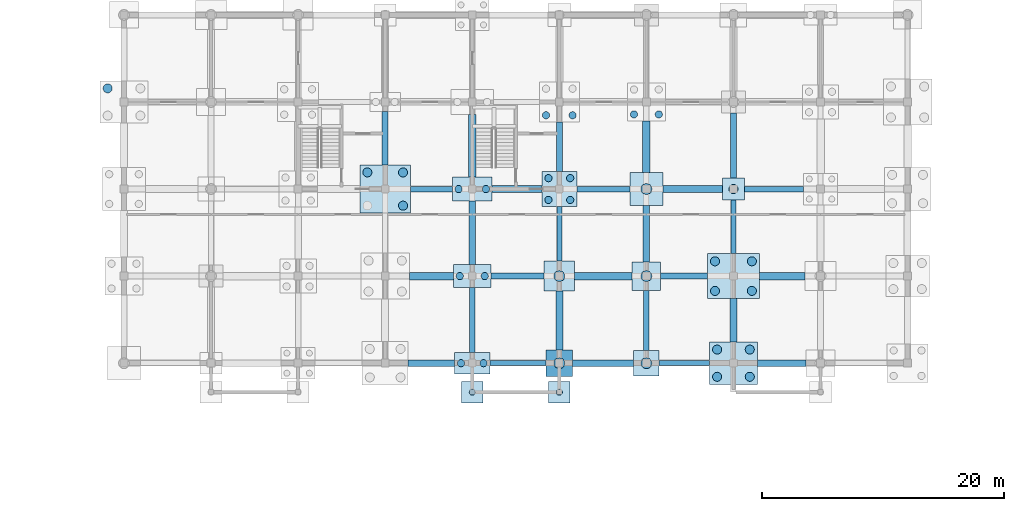
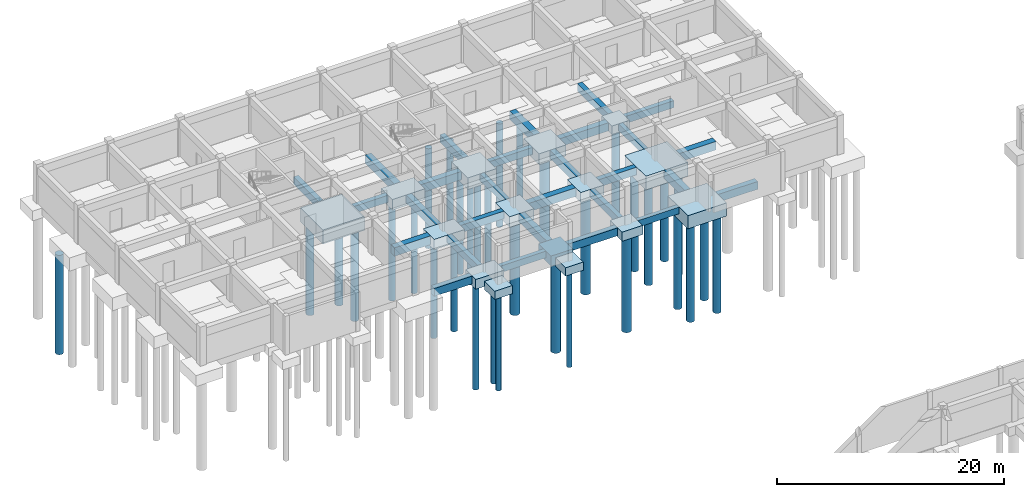
# One storey, part 14 of 38: 43 footings, 34 piles.
"""IFC4 building model written with IfcOpenShell, lengths in metres."""

from ifc_helpers import new_model, si_unit, direction, frame, origin, origin_2d, place, context, subcontext, project, spatial, polyline, rectangle, circle, outline, extrude, material, material_profile, profile_set, type_object, element, save


model = new_model("IFC4")

# Units and contexts
model_context = context("Model", 3, precision=1e-05, world=origin(), true_north=direction((0.0, 1.0)))
body_context = subcontext(model_context, "Body", "Model", "MODEL_VIEW")
ifc_project = project(units=[si_unit("LENGTHUNIT", "METRE"), si_unit("AREAUNIT", "SQUARE_METRE"), si_unit("VOLUMEUNIT", "CUBIC_METRE"), si_unit("PLANEANGLEUNIT", "RADIAN"), si_unit("MASSUNIT", "GRAM", prefix="KILO"), si_unit("THERMODYNAMICTEMPERATUREUNIT", "KELVIN"), si_unit("POWERUNIT", "WATT")], contexts=[model_context])

# Site, building, storey
site_placement = place(None, origin())
site = spatial("IfcSite", under=ifc_project, at=site_placement, CompositionType="ELEMENT")
building_placement = place(site_placement, origin())
building = spatial("IfcBuilding", under=site, at=building_placement, Name="Tavuni Mirador Residences", CompositionType="ELEMENT")
storey_placement = place(building_placement, frame((0.0, 0.0, -4.199951171875)))
storey = spatial("IfcBuildingStorey", under=building, at=storey_placement, Name="B1", CompositionType="ELEMENT", Elevation=-4.199951171875)

# Footings
ifc_material = material(Name="In-situ concrete C35/45", Category="concrete")
footing_type_1 = type_object("IfcFootingType", Name="FT-GB01", PredefinedType="FOOTING_BEAM", material=ifc_material)
footing_1_placement = place(storey_placement, frame((0.0, 0.0, -0.719970703125)))
element("IfcFooting", 1, at=footing_1_placement, inside=storey, type_object=footing_type_1, Name="GBX-BLK-C-04-00", PredefinedType="FOOTING_BEAM", context=body_context, shape_type="SweptSolid", body=[
    extrude(outline(polyline([(41.050048828125, 143.7900390625), (45.699951171875, 143.7900390625), (45.699951171875, 144.2099609375), (41.050048828125, 144.2099609375), (41.050048828125, 143.7900390625)])), origin(), (0.0, 0.0, 1.0), 0.719970703125),
])
footing_2_placement = place(storey_placement, frame((0.0, 0.0, -0.719970703125)))
element("IfcFooting", 2, at=footing_2_placement, inside=storey, type_object=footing_type_1, Name="GBY-BLK-C-05-01", PredefinedType="FOOTING_BEAM", context=body_context, shape_type="SweptSolid", body=[
    extrude(outline(polyline([(46.590087890625, 152.449951171875), (47.010009765625, 152.449951171875), (47.010009765625, 156.949951171875), (46.590087890625, 156.949951171875), (46.590087890625, 152.449951171875)])), origin(), (0.0, 0.0, 1.0), 0.719970703125),
])
footing_3_placement = place(storey_placement, frame((0.0, 0.0, -0.719970703125)))
element("IfcFooting", 3, at=footing_3_placement, inside=storey, type_object=footing_type_1, Name="GBX-BLK-C-06-00", PredefinedType="FOOTING_BEAM", context=body_context, shape_type="SweptSolid", body=[
    extrude(outline(polyline([(55.050048828125, 143.7900390625), (59.22509765625, 143.7900390625), (59.22509765625, 144.2099609375), (55.050048828125, 144.2099609375), (55.050048828125, 143.7900390625)])), origin(), (0.0, 0.0, 1.0), 0.719970703125),
])
footing_4_placement = place(storey_placement, frame((0.0, 0.0, -0.719970703125)))
element("IfcFooting", 4, at=footing_4_placement, inside=storey, type_object=footing_type_1, Name="GBY-BLK-C-07-01", PredefinedType="FOOTING_BEAM", context=body_context, shape_type="SweptSolid", body=[
    extrude(outline(polyline([(60.989990234375, 153.050048828125), (61.409912109375, 153.050048828125), (61.409912109375, 157.5), (60.989990234375, 157.5), (60.989990234375, 153.050048828125)])), origin(), (0.0, 0.0, 1.0), 0.719970703125),
])
footing_type_2 = type_object("IfcFootingType", Name="FT-GB02", PredefinedType="FOOTING_BEAM", material=ifc_material)
footing_5_placement = place(storey_placement, frame((0.0, 0.0, -0.760009765625)))
element("IfcFooting", 5, at=footing_5_placement, inside=storey, type_object=footing_type_2, Name="GBX-BLK-C-03-02", PredefinedType="FOOTING_BEAM", context=body_context, shape_type="SweptSolid", body=[
    extrude(outline(polyline([(34.5, 158.169921875), (37.949951171875, 158.169921875), (37.949951171875, 158.6298828125), (34.5, 158.6298828125), (34.5, 158.169921875)])), origin(), (0.0, 0.0, 1.0), 0.760009765625),
])
footing_6_placement = place(storey_placement, frame((0.0, 0.0, -0.760009765625)))
element("IfcFooting", 6, at=footing_6_placement, inside=storey, type_object=footing_type_2, Name="GBY-BLK-C-04-00", PredefinedType="FOOTING_BEAM", context=body_context, shape_type="SweptSolid", body=[
    extrude(outline(polyline([(39.3701171875, 144.89990234375), (39.830078125, 144.89990234375), (39.830078125, 150.25), (39.3701171875, 150.25), (39.3701171875, 144.89990234375)])), origin(), (0.0, 0.0, 1.0), 0.760009765625),
])
footing_7_placement = place(storey_placement, frame((0.0, 0.0, -0.760009765625)))
element("IfcFooting", 7, at=footing_7_placement, inside=storey, type_object=footing_type_2, Name="GBX-BLK-C-05-02", PredefinedType="FOOTING_BEAM", context=body_context, shape_type="SweptSolid", body=[
    extrude(outline(polyline([(48.25, 158.169921875), (52.625, 158.169921875), (52.625, 158.6298828125), (48.25, 158.6298828125), (48.25, 158.169921875)])), origin(), (0.0, 0.0, 1.0), 0.760009765625),
])
footing_8_placement = place(storey_placement, frame((0.0, 0.0, -0.760009765625)))
element("IfcFooting", 8, at=footing_8_placement, inside=storey, type_object=footing_type_2, Name="GBY-BLK-C-06-00", PredefinedType="FOOTING_BEAM", context=body_context, shape_type="SweptSolid", body=[
    extrude(outline(polyline([(53.77001953125, 145.050048828125), (54.22998046875, 145.050048828125), (54.22998046875, 150.02490234375), (53.77001953125, 150.02490234375), (53.77001953125, 145.050048828125)])), origin(), (0.0, 0.0, 1.0), 0.760009765625),
])
footing_9_placement = place(storey_placement, frame((0.0, 0.0, -0.760009765625)))
element("IfcFooting", 9, at=footing_9_placement, inside=storey, type_object=footing_type_2, Name="GBX-BLK-C-07-02", PredefinedType="FOOTING_BEAM", context=body_context, shape_type="SweptSolid", body=[
    extrude(outline(polyline([(62.10009765625, 158.169921875), (67.0, 158.169921875), (67.0, 158.6298828125), (62.10009765625, 158.6298828125), (62.10009765625, 158.169921875)])), origin(), (0.0, 0.0, 1.0), 0.760009765625),
])
footing_type_3 = type_object("IfcFootingType", Name="FT-GB03", PredefinedType="FOOTING_BEAM", material=ifc_material)
footing_10_placement = place(storey_placement, frame((0.0, 0.0, -0.800048828125)))
element("IfcFooting", 10, at=footing_10_placement, inside=storey, type_object=footing_type_3, Name="GBY-BLK-C-03-02", PredefinedType="FOOTING_BEAM", context=body_context, shape_type="SweptSolid", body=[
    extrude(outline(polyline([(32.14990234375, 160.39990234375), (32.64990234375, 160.39990234375), (32.64990234375, 164.800048828125), (32.14990234375, 164.800048828125), (32.14990234375, 160.39990234375)])), origin(), (0.0, 0.0, 1.0), 0.800048828125),
])
footing_11_placement = place(storey_placement, frame((0.0, 0.0, -0.800048828125)))
element("IfcFooting", 11, at=footing_11_placement, inside=storey, type_object=footing_type_3, Name="GBX-BLK-C-04-01", PredefinedType="FOOTING_BEAM", context=body_context, shape_type="SweptSolid", body=[
    extrude(outline(polyline([(41.14990234375, 150.949951171875), (45.550048828125, 150.949951171875), (45.550048828125, 151.449951171875), (41.14990234375, 151.449951171875), (41.14990234375, 150.949951171875)])), origin(), (0.0, 0.0, 1.0), 0.800048828125),
])
footing_12_placement = place(storey_placement, frame((0.0, 0.0, -0.800048828125)))
element("IfcFooting", 12, at=footing_12_placement, inside=storey, type_object=footing_type_3, Name="GBY-BLK-C-05-02", PredefinedType="FOOTING_BEAM", context=body_context, shape_type="SweptSolid", body=[
    extrude(outline(polyline([(46.550048828125, 159.85009765625), (47.050048828125, 159.85009765625), (47.050048828125, 163.949951171875), (46.550048828125, 163.949951171875), (46.550048828125, 159.85009765625)])), origin(), (0.0, 0.0, 1.0), 0.800048828125),
])
footing_13_placement = place(storey_placement, frame((0.0, 0.0, -0.800048828125)))
element("IfcFooting", 13, at=footing_13_placement, inside=storey, type_object=footing_type_3, Name="GBX-BLK-C-06-01", PredefinedType="FOOTING_BEAM", context=body_context, shape_type="SweptSolid", body=[
    extrude(outline(polyline([(55.175048828125, 150.949951171875), (59.050048828125, 150.949951171875), (59.050048828125, 151.449951171875), (55.175048828125, 151.449951171875), (55.175048828125, 150.949951171875)])), origin(), (0.0, 0.0, 1.0), 0.800048828125),
])
footing_14_placement = place(storey_placement, frame((0.0, 0.0, -0.800048828125)))
element("IfcFooting", 14, at=footing_14_placement, inside=storey, type_object=footing_type_3, Name="GBY-BLK-C-07-02", PredefinedType="FOOTING_BEAM", context=body_context, shape_type="SweptSolid", body=[
    extrude(outline(polyline([(60.949951171875, 159.300048828125), (61.449951171875, 159.300048828125), (61.449951171875, 164.699951171875), (60.949951171875, 164.699951171875), (60.949951171875, 159.300048828125)])), origin(), (0.0, 0.0, 1.0), 0.800048828125),
])
footing_type_4 = type_object("IfcFootingType", Name="FT-GB04", PredefinedType="FOOTING_BEAM", material=ifc_material)
footing_15_placement = place(storey_placement, frame((0.0, 0.0, -0.840087890625)))
element("IfcFooting", 15, at=footing_15_placement, inside=storey, type_object=footing_type_4, Name="GBX-BLK-C-03-00", PredefinedType="FOOTING_BEAM", context=body_context, shape_type="SweptSolid", body=[
    extrude(outline(polyline([(34.300048828125, 143.72998046875), (38.14990234375, 143.72998046875), (38.14990234375, 144.27001953125), (34.300048828125, 144.27001953125), (34.300048828125, 143.72998046875)])), origin(), (0.0, 0.0, 1.0), 0.840087890625),
])
footing_16_placement = place(storey_placement, frame((0.0, 0.0, -0.840087890625)))
element("IfcFooting", 16, at=footing_16_placement, inside=storey, type_object=footing_type_4, Name="GBY-BLK-C-04-01", PredefinedType="FOOTING_BEAM", context=body_context, shape_type="SweptSolid", body=[
    extrude(outline(polyline([(39.330078125, 152.14990234375), (39.8701171875, 152.14990234375), (39.8701171875, 157.39990234375), (39.330078125, 157.39990234375), (39.330078125, 152.14990234375)])), origin(), (0.0, 0.0, 1.0), 0.840087890625),
])
footing_17_placement = place(storey_placement, frame((0.0, 0.0, -0.840087890625)))
element("IfcFooting", 17, at=footing_17_placement, inside=storey, type_object=footing_type_4, Name="GBX-BLK-C-05-00", PredefinedType="FOOTING_BEAM", context=body_context, shape_type="SweptSolid", body=[
    extrude(outline(polyline([(47.89990234375, 143.72998046875), (52.949951171875, 143.72998046875), (52.949951171875, 144.27001953125), (47.89990234375, 144.27001953125), (47.89990234375, 143.72998046875)])), origin(), (0.0, 0.0, 1.0), 0.840087890625),
])
footing_18_placement = place(storey_placement, frame((0.0, 0.0, -0.840087890625)))
element("IfcFooting", 18, at=footing_18_placement, inside=storey, type_object=footing_type_4, Name="GBY-BLK-C-06-01", PredefinedType="FOOTING_BEAM", context=body_context, shape_type="SweptSolid", body=[
    extrude(outline(polyline([(53.72998046875, 152.375), (54.27001953125, 152.375), (54.27001953125, 157.02490234375), (53.72998046875, 157.02490234375), (53.72998046875, 152.375)])), origin(), (0.0, 0.0, 1.0), 0.840087890625),
])
footing_19_placement = place(storey_placement, frame((0.0, 0.0, -0.840087890625)))
element("IfcFooting", 19, at=footing_19_placement, inside=storey, type_object=footing_type_4, Name="GBX-BLK-C-07-00", PredefinedType="FOOTING_BEAM", context=body_context, shape_type="SweptSolid", body=[
    extrude(outline(polyline([(63.175048828125, 143.72998046875), (67.199951171875, 143.72998046875), (67.199951171875, 144.27001953125), (63.175048828125, 144.27001953125), (63.175048828125, 143.72998046875)])), origin(), (0.0, 0.0, 1.0), 0.840087890625),
])
footing_type_5 = type_object("IfcFootingType", Name="FT-GB05", PredefinedType="FOOTING_BEAM", material=ifc_material)
footing_20_placement = place(storey_placement, frame((0.0, 0.0, -0.880126953125)))
element("IfcFooting", 20, at=footing_20_placement, inside=storey, type_object=footing_type_5, Name="GBX-BLK-C-04-02", PredefinedType="FOOTING_BEAM", context=body_context, shape_type="SweptSolid", body=[
    extrude(outline(polyline([(41.25, 158.110107421875), (45.35009765625, 158.110107421875), (45.35009765625, 158.68994140625), (41.25, 158.68994140625), (41.25, 158.110107421875)])), origin(), (0.0, 0.0, 1.0), 0.880126953125),
])
footing_21_placement = place(storey_placement, frame((0.0, 0.0, -0.880126953125)))
element("IfcFooting", 21, at=footing_21_placement, inside=storey, type_object=footing_type_5, Name="GBY-BLK-C-05-00", PredefinedType="FOOTING_BEAM", context=body_context, shape_type="SweptSolid", body=[
    extrude(outline(polyline([(46.510009765625, 145.10009765625), (47.090087890625, 145.10009765625), (47.090087890625, 149.949951171875), (46.510009765625, 149.949951171875), (46.510009765625, 145.10009765625)])), origin(), (0.0, 0.0, 1.0), 0.880126953125),
])
footing_22_placement = place(storey_placement, frame((0.0, 0.0, -0.880126953125)))
element("IfcFooting", 22, at=footing_22_placement, inside=storey, type_object=footing_type_5, Name="GBX-BLK-C-06-02", PredefinedType="FOOTING_BEAM", context=body_context, shape_type="SweptSolid", body=[
    extrude(outline(polyline([(55.375, 158.110107421875), (60.300048828125, 158.110107421875), (60.300048828125, 158.68994140625), (55.375, 158.68994140625), (55.375, 158.110107421875)])), origin(), (0.0, 0.0, 1.0), 0.880126953125),
])
footing_23_placement = place(storey_placement, frame((0.0, 0.0, -0.880126953125)))
element("IfcFooting", 23, at=footing_23_placement, inside=storey, type_object=footing_type_5, Name="GBY-BLK-C-07-00", PredefinedType="FOOTING_BEAM", context=body_context, shape_type="SweptSolid", body=[
    extrude(outline(polyline([(60.909912109375, 145.75), (61.489990234375, 145.75), (61.489990234375, 149.35009765625), (60.909912109375, 149.35009765625), (60.909912109375, 145.75)])), origin(), (0.0, 0.0, 1.0), 0.880126953125),
])
footing_type_6 = type_object("IfcFootingType", Name="FT-GB06", PredefinedType="FOOTING_BEAM", material=ifc_material)
footing_24_placement = place(storey_placement, frame((0.0, 0.0, -0.920166015625)))
element("IfcFooting", 24, at=footing_24_placement, inside=storey, type_object=footing_type_6, Name="GBX-BLK-C-03-01", PredefinedType="FOOTING_BEAM", context=body_context, shape_type="SweptSolid", body=[
    extrude(outline(polyline([(34.39990234375, 150.889892578125), (38.050048828125, 150.889892578125), (38.050048828125, 151.510009765625), (34.39990234375, 151.510009765625), (34.39990234375, 150.889892578125)])), origin(), (0.0, 0.0, 1.0), 0.920166015625),
])
footing_25_placement = place(storey_placement, frame((0.0, 0.0, -0.920166015625)))
element("IfcFooting", 25, at=footing_25_placement, inside=storey, type_object=footing_type_6, Name="GBY-BLK-C-04-02", PredefinedType="FOOTING_BEAM", context=body_context, shape_type="SweptSolid", body=[
    extrude(outline(polyline([(39.2900390625, 159.39990234375), (39.909912109375, 159.39990234375), (39.909912109375, 164.550048828125), (39.2900390625, 164.550048828125), (39.2900390625, 159.39990234375)])), origin(), (0.0, 0.0, 1.0), 0.920166015625),
])
footing_26_placement = place(storey_placement, frame((0.0, 0.0, -0.920166015625)))
element("IfcFooting", 26, at=footing_26_placement, inside=storey, type_object=footing_type_6, Name="GBX-BLK-C-05-01", PredefinedType="FOOTING_BEAM", context=body_context, shape_type="SweptSolid", body=[
    extrude(outline(polyline([(48.050048828125, 150.889892578125), (52.824951171875, 150.889892578125), (52.824951171875, 151.510009765625), (48.050048828125, 151.510009765625), (48.050048828125, 150.889892578125)])), origin(), (0.0, 0.0, 1.0), 0.920166015625),
])
footing_27_placement = place(storey_placement, frame((0.0, 0.0, -0.920166015625)))
element("IfcFooting", 27, at=footing_27_placement, inside=storey, type_object=footing_type_6, Name="GBY-BLK-C-06-02", PredefinedType="FOOTING_BEAM", context=body_context, shape_type="SweptSolid", body=[
    extrude(outline(polyline([(53.68994140625, 159.77490234375), (54.31005859375, 159.77490234375), (54.31005859375, 164.02490234375), (53.68994140625, 164.02490234375), (53.68994140625, 159.77490234375)])), origin(), (0.0, 0.0, 1.0), 0.920166015625),
])
footing_28_placement = place(storey_placement, frame((0.0, 0.0, -0.920166015625)))
element("IfcFooting", 28, at=footing_28_placement, inside=storey, type_object=footing_type_6, Name="GBX-BLK-C-07-01", PredefinedType="FOOTING_BEAM", context=body_context, shape_type="SweptSolid", body=[
    extrude(outline(polyline([(63.35009765625, 150.889892578125), (67.10009765625, 150.889892578125), (67.10009765625, 151.510009765625), (63.35009765625, 151.510009765625), (63.35009765625, 150.889892578125)])), origin(), (0.0, 0.0, 1.0), 0.920166015625),
])
footing_type_7 = type_object("IfcFootingType", Name="FT-PC01", PredefinedType="PILE_CAP", material=ifc_material)
for number, where, z_axis, x_axis, name in (
    (29, (61.199951171875, 158.39990234375, -0.89990234375), (0.0, 0.0, 1.0), (1.0, 0.0, 0.0), "CAP-BLK-C-07-02"),
    (30, (39.60009765625, 141.60009765625, -0.89990234375), (0.0, 0.0, 1.0), (1.0, 0.0, 0.0), "CAP-APR-BLKC-S2-0"),
    (31, (46.800048828125, 141.60009765625, -0.89990234375), (0.0, 0.0, 1.0), (1.0, 0.0, 0.0), "CAP-APR-BLKC-S2-1"),
):
    element("IfcFooting", number, at=place(storey_placement, frame(where, z_axis=z_axis, x_axis=x_axis)), inside=storey, type_object=footing_type_7, Name=name, PredefinedType="PILE_CAP", context=body_context, shape_type="SweptSolid", body=[
        extrude(rectangle(XDim=1.800048828125, YDim=1.800048828125, at=origin_2d()), origin(), (0.0, 0.0, 1.0), 0.89990234375),
    ])
footing_type_8 = type_object("IfcFootingType", Name="FT-PC13", PredefinedType="PILE_CAP", material=ifc_material)
footing_29_placement = place(storey_placement, frame((32.39990234375, 158.39990234375, -1.5), z_axis=(0.0, 0.0, 1.0), x_axis=(1.0, 0.0, 0.0)))
element("IfcFooting", 32, at=footing_29_placement, inside=storey, type_object=footing_type_8, Name="CAP-BLK-C-03-02", PredefinedType="PILE_CAP", context=body_context, shape_type="SweptSolid", body=[
    extrude(rectangle(XDim=4.199951171875, YDim=4.0, at=origin_2d()), origin(), (0.0, 0.0, 1.0), 1.5),
])
footing_type_9 = type_object("IfcFootingType", Name="FT-PC16", PredefinedType="PILE_CAP", material=ifc_material)
footing_30_placement = place(storey_placement, frame((39.60009765625, 144.0, -1.05029296875), z_axis=(0.0, 0.0, 1.0), x_axis=(1.0, 0.0, 0.0)))
element("IfcFooting", 33, at=footing_30_placement, inside=storey, type_object=footing_type_9, Name="CAP-BLK-C-04-00", PredefinedType="PILE_CAP", context=body_context, shape_type="SweptSolid", body=[
    extrude(rectangle(XDim=2.89990234375, YDim=1.800048828125, at=origin_2d()), origin(), (0.0, 0.0, 1.0), 1.050048828125),
])
footing_type_10 = type_object("IfcFootingType", Name="FT-PC17", PredefinedType="PILE_CAP", material=ifc_material)
footing_31_placement = place(storey_placement, frame((39.60009765625, 151.199951171875, -1.10009765625), z_axis=(0.0, 0.0, 1.0), x_axis=(1.0, 0.0, 0.0)))
element("IfcFooting", 34, at=footing_31_placement, inside=storey, type_object=footing_type_10, Name="CAP-BLK-C-04-01", PredefinedType="PILE_CAP", context=body_context, shape_type="SweptSolid", body=[
    extrude(rectangle(XDim=3.10009765625, YDim=1.89990234375, at=origin_2d()), origin(), (0.0, 0.0, 1.0), 1.10009765625),
])
footing_type_11 = type_object("IfcFootingType", Name="FT-PC18", PredefinedType="PILE_CAP", material=ifc_material)
footing_32_placement = place(storey_placement, frame((39.60009765625, 158.39990234375, -1.14990234375), z_axis=(0.0, 0.0, 1.0), x_axis=(1.0, 0.0, 0.0)))
element("IfcFooting", 35, at=footing_32_placement, inside=storey, type_object=footing_type_11, Name="CAP-BLK-C-04-02", PredefinedType="PILE_CAP", context=body_context, shape_type="SweptSolid", body=[
    extrude(rectangle(XDim=3.300048828125, YDim=2.0, at=origin_2d()), origin(), (0.0, 0.0, 1.0), 1.14990234375),
])
footing_type_12 = type_object("IfcFootingType", Name="FT-PC21", PredefinedType="PILE_CAP", material=ifc_material)
footing_33_placement = place(storey_placement, frame((46.800048828125, 144.0, -1.10009765625), z_axis=(0.0, 0.0, 1.0), x_axis=(1.0, 0.0, 0.0)))
element("IfcFooting", 36, at=footing_33_placement, inside=storey, type_object=footing_type_12, Name="CAP-BLK-C-05-00", PredefinedType="PILE_CAP", context=body_context, shape_type="SweptSolid", body=[
    extrude(rectangle(XDim=2.199951171875, YDim=2.199951171875, at=origin_2d()), origin(), (0.0, 0.0, 1.0), 1.10009765625),
])
footing_type_13 = type_object("IfcFootingType", Name="FT-PC22", PredefinedType="PILE_CAP", material=ifc_material)
footing_34_placement = place(storey_placement, frame((46.800048828125, 151.199951171875, -1.14990234375), z_axis=(0.0, 0.0, 1.0), x_axis=(1.0, 0.0, 0.0)))
element("IfcFooting", 37, at=footing_34_placement, inside=storey, type_object=footing_type_13, Name="CAP-BLK-C-05-01", PredefinedType="PILE_CAP", context=body_context, shape_type="SweptSolid", body=[
    extrude(rectangle(XDim=2.5, YDim=2.5, at=origin_2d()), origin(), (0.0, 0.0, 1.0), 1.14990234375),
])
footing_type_14 = type_object("IfcFootingType", Name="FT-PC23", PredefinedType="PILE_CAP", material=ifc_material)
footing_35_placement = place(storey_placement, frame((46.800048828125, 158.39990234375, -1.25), z_axis=(0.0, 0.0, 1.0), x_axis=(1.0, 0.0, 0.0)))
element("IfcFooting", 38, at=footing_35_placement, inside=storey, type_object=footing_type_14, Name="CAP-BLK-C-05-02", PredefinedType="PILE_CAP", context=body_context, shape_type="SweptSolid", body=[
    extrude(rectangle(XDim=2.89990234375, YDim=2.89990234375, at=origin_2d()), origin(), (0.0, 0.0, 1.0), 1.25),
])
footing_type_15 = type_object("IfcFootingType", Name="FT-PC26", PredefinedType="PILE_CAP", material=ifc_material)
footing_36_placement = place(storey_placement, frame((54.0, 144.0, -0.97998046875), z_axis=(0.0, 0.0, 1.0), x_axis=(1.0, 0.0, 0.0)))
element("IfcFooting", 39, at=footing_36_placement, inside=storey, type_object=footing_type_15, Name="CAP-BLK-C-06-00", PredefinedType="PILE_CAP", context=body_context, shape_type="SweptSolid", body=[
    extrude(rectangle(XDim=2.10009765625, YDim=2.10009765625, at=origin_2d()), origin(), (0.0, 0.0, 1.0), 0.97998046875),
])
footing_type_16 = type_object("IfcFootingType", Name="FT-PC27", PredefinedType="PILE_CAP", material=ifc_material)
footing_37_placement = place(storey_placement, frame((54.0, 151.199951171875, -1.06005859375), z_axis=(0.0, 0.0, 1.0), x_axis=(1.0, 0.0, 0.0)))
element("IfcFooting", 40, at=footing_37_placement, inside=storey, type_object=footing_type_16, Name="CAP-BLK-C-06-01", PredefinedType="PILE_CAP", context=body_context, shape_type="SweptSolid", body=[
    extrude(rectangle(XDim=2.35009765625, YDim=2.35009765625, at=origin_2d()), origin(), (0.0, 0.0, 1.0), 1.06005859375),
])
footing_type_17 = type_object("IfcFootingType", Name="FT-PC28", PredefinedType="PILE_CAP", material=ifc_material)
footing_38_placement = place(storey_placement, frame((54.0, 158.39990234375, -1.18017578125), z_axis=(0.0, 0.0, 1.0), x_axis=(1.0, 0.0, 0.0)))
element("IfcFooting", 41, at=footing_38_placement, inside=storey, type_object=footing_type_17, Name="CAP-BLK-C-06-02", PredefinedType="PILE_CAP", context=body_context, shape_type="SweptSolid", body=[
    extrude(rectangle(XDim=2.75, YDim=2.75, at=origin_2d()), origin(), (0.0, 0.0, 1.0), 1.179931640625),
])
footing_type_18 = type_object("IfcFootingType", Name="FT-PC31", PredefinedType="PILE_CAP", material=ifc_material)
footing_39_placement = place(storey_placement, frame((61.199951171875, 144.0, -1.419921875), z_axis=(0.0, 0.0, 1.0), x_axis=(1.0, 0.0, 0.0)))
element("IfcFooting", 42, at=footing_39_placement, inside=storey, type_object=footing_type_18, Name="CAP-BLK-C-07-00", PredefinedType="PILE_CAP", context=body_context, shape_type="SweptSolid", body=[
    extrude(rectangle(XDim=3.949951171875, YDim=3.5, at=origin_2d()), origin(), (0.0, 0.0, 1.0), 1.419921875),
])
footing_type_19 = type_object("IfcFootingType", Name="FT-PC32", PredefinedType="PILE_CAP", material=ifc_material)
footing_40_placement = place(storey_placement, frame((61.199951171875, 151.199951171875, -1.47998046875), z_axis=(0.0, 0.0, 1.0), x_axis=(1.0, 0.0, 0.0)))
element("IfcFooting", 43, at=footing_40_placement, inside=storey, type_object=footing_type_19, Name="CAP-BLK-C-07-01", PredefinedType="PILE_CAP", context=body_context, shape_type="SweptSolid", body=[
    extrude(rectangle(XDim=4.300048828125, YDim=3.699951171875, at=origin_2d()), origin(), (0.0, 0.0, 1.0), 1.47998046875),
])

# Piles
ifc_material_profile_1 = material_profile(ifc_material, circle(Radius=0.25, at=origin_2d()), Name="PILE D500", Category="concrete")
ifc_profile_set_1 = profile_set([ifc_material_profile_1], Name="In-situ concrete C35/45")
pile_type_1 = type_object("IfcPileType", Name="PT-D500", PredefinedType="BORED", material=ifc_profile_set_1)
for number, where, z_axis, x_axis, name in (
    (44, (39.60009765625, 141.60009765625, -0.800048828125), (0.0, 0.0, -1.0), (1.0, 0.0, 0.0), "PIL-APR-BLKC-S2-0"),
    (45, (46.800048828125, 141.60009765625, -0.800048828125), (0.0, 0.0, -1.0), (1.0, 0.0, 0.0), "PIL-APR-BLKC-S2-1"),
):
    element("IfcPile", number, at=place(storey_placement, frame(where, z_axis=z_axis, x_axis=x_axis)), inside=storey, type_object=pile_type_1, Name=name, PredefinedType="BORED", context=body_context, shape_type="SweptSolid", body=[
        extrude(circle(Radius=0.25, at=origin_2d()), origin(), (0.0, 0.0, 1.0), 10.60009765625),
    ])
ifc_material_profile_2 = material_profile(ifc_material, circle(Radius=0.300048828125, at=origin_2d()), Name="PILE D600", Category="concrete")
ifc_profile_set_2 = profile_set([ifc_material_profile_2], Name="In-situ concrete C35/45")
pile_type_2 = type_object("IfcPileType", Name="PT-D600", PredefinedType="BORED", material=ifc_profile_set_2)
for number, where, z_axis, x_axis, name in (
    (46, (38.669921875, 144.0, -1.050048828125), (0.0, 0.0, -1.0), (1.0, 0.0, 0.0), "PIL-BLK-C-04-00-1"),
    (47, (40.530029296875, 144.0, -1.050048828125), (0.0, 0.0, -1.0), (1.0, 0.0, 0.0), "PIL-BLK-C-04-00-2"),
):
    element("IfcPile", number, at=place(storey_placement, frame(where, z_axis=z_axis, x_axis=x_axis)), inside=storey, type_object=pile_type_2, Name=name, PredefinedType="BORED", context=body_context, shape_type="SweptSolid", body=[
        extrude(circle(Radius=0.300048828125, at=origin_2d()), origin(), (0.0, 0.0, 1.0), 11.35009765625),
    ])
for number, where, z_axis, x_axis, name in (
    (48, (38.570068359375, 151.199951171875, -1.10009765625), (0.0, 0.0, -1.0), (1.0, 0.0, 0.0), "PIL-BLK-C-04-01-1"),
    (49, (40.6298828125, 151.199951171875, -1.10009765625), (0.0, 0.0, -1.0), (1.0, 0.0, 0.0), "PIL-BLK-C-04-01-2"),
):
    element("IfcPile", number, at=place(storey_placement, frame(where, z_axis=z_axis, x_axis=x_axis)), inside=storey, type_object=pile_type_2, Name=name, PredefinedType="BORED", context=body_context, shape_type="SweptSolid", body=[
        extrude(circle(Radius=0.300048828125, at=origin_2d()), origin(), (0.0, 0.0, 1.0), 10.10009765625),
    ])
for number, where, z_axis, x_axis, name in (
    (50, (38.469970703125, 158.39990234375, -1.150146484375), (0.0, 0.0, -1.0), (1.0, 0.0, 0.0), "PIL-BLK-C-04-02-1"),
    (51, (40.72998046875, 158.39990234375, -1.150146484375), (0.0, 0.0, -1.0), (1.0, 0.0, 0.0), "PIL-BLK-C-04-02-2"),
):
    element("IfcPile", number, at=place(storey_placement, frame(where, z_axis=z_axis, x_axis=x_axis)), inside=storey, type_object=pile_type_2, Name=name, PredefinedType="BORED", context=body_context, shape_type="SweptSolid", body=[
        extrude(circle(Radius=0.300048828125, at=origin_2d()), origin(), (0.0, 0.0, 1.0), 10.35009765625),
    ])
for number, where, z_axis, x_axis, name in (
    (52, (45.89990234375, 157.5, -1.25), (0.0, 0.0, -1.0), (1.0, 0.0, 0.0), "PIL-BLK-C-05-02-1"),
    (53, (47.699951171875, 157.5, -1.25), (0.0, 0.0, -1.0), (1.0, 0.0, 0.0), "PIL-BLK-C-05-02-2"),
    (54, (45.89990234375, 159.300048828125, -1.25), (0.0, 0.0, -1.0), (1.0, 0.0, 0.0), "PIL-BLK-C-05-02-3"),
    (55, (47.699951171875, 159.300048828125, -1.25), (0.0, 0.0, -1.0), (1.0, 0.0, 0.0), "PIL-BLK-C-05-02-4"),
):
    element("IfcPile", number, at=place(storey_placement, frame(where, z_axis=z_axis, x_axis=x_axis)), inside=storey, type_object=pile_type_2, Name=name, PredefinedType="BORED", context=body_context, shape_type="SweptSolid", body=[
        extrude(circle(Radius=0.300048828125, at=origin_2d()), origin(), (0.0, 0.0, 1.0), 10.550048828125),
    ])
for number, where, z_axis, x_axis, name in (
    (56, (45.699951171875, 164.5, -1.35009765625), (0.0, 0.0, -1.0), (1.0, 0.0, 0.0), "PIL-BLK-C-05-03-1"),
    (57, (47.89990234375, 164.5, -1.35009765625), (0.0, 0.0, -1.0), (1.0, 0.0, 0.0), "PIL-BLK-C-05-03-2"),
):
    element("IfcPile", number, at=place(storey_placement, frame(where, z_axis=z_axis, x_axis=x_axis)), inside=storey, type_object=pile_type_2, Name=name, PredefinedType="BORED", context=body_context, shape_type="SweptSolid", body=[
        extrude(circle(Radius=0.300048828125, at=origin_2d()), origin(), (0.0, 0.0, 1.0), 10.75),
    ])
for number, where, z_axis, x_axis, name in (
    (58, (52.97509765625, 164.574951171875, -1.280029296875), (0.0, 0.0, -1.0), (1.0, 0.0, 0.0), "PIL-BLK-C-06-03-1"),
    (59, (55.02490234375, 164.574951171875, -1.280029296875), (0.0, 0.0, -1.0), (1.0, 0.0, 0.0), "PIL-BLK-C-06-03-2"),
):
    element("IfcPile", number, at=place(storey_placement, frame(where, z_axis=z_axis, x_axis=x_axis)), inside=storey, type_object=pile_type_2, Name=name, PredefinedType="BORED", context=body_context, shape_type="SweptSolid", body=[
        extrude(circle(Radius=0.300048828125, at=origin_2d()), origin(), (0.0, 0.0, 1.0), 11.1201171875),
    ])
ifc_material_profile_3 = material_profile(ifc_material, circle(Radius=0.375, at=origin_2d()), Name="PILE D750", Category="concrete")
ifc_profile_set_3 = profile_set([ifc_material_profile_3], Name="In-situ concrete C35/45")
pile_type_3 = type_object("IfcPileType", Name="PT-D750", PredefinedType="BORED", material=ifc_profile_set_3)
pile_1_placement = place(storey_placement, frame((9.449951171875, 166.72509765625, -1.420166015625), z_axis=(0.0, 0.0, -1.0), x_axis=(1.0, 0.0, 0.0)))
element("IfcPile", 60, at=pile_1_placement, inside=storey, type_object=pile_type_3, Name="PIL-BLK-C-00-03-3", PredefinedType="BORED", context=body_context, shape_type="SweptSolid", body=[
    extrude(circle(Radius=0.375, at=origin_2d()), origin(), (0.0, 0.0, 1.0), 10.679931640625),
])
for number, where, z_axis, x_axis, name in (
    (61, (33.875, 157.02490234375, -1.5), (0.0, 0.0, -1.0), (1.0, 0.0, 0.0), "PIL-BLK-C-03-02-2"),
    (62, (30.925048828125, 159.77490234375, -1.5), (0.0, 0.0, -1.0), (1.0, 0.0, 0.0), "PIL-BLK-C-03-02-3"),
    (63, (33.875, 159.77490234375, -1.5), (0.0, 0.0, -1.0), (1.0, 0.0, 0.0), "PIL-BLK-C-03-02-4"),
):
    element("IfcPile", number, at=place(storey_placement, frame(where, z_axis=z_axis, x_axis=x_axis)), inside=storey, type_object=pile_type_3, Name=name, PredefinedType="BORED", context=body_context, shape_type="SweptSolid", body=[
        extrude(circle(Radius=0.375, at=origin_2d()), origin(), (0.0, 0.0, 1.0), 9.699951171875),
    ])
for number, where, z_axis, x_axis, name in (
    (64, (59.85009765625, 142.875, -1.420166015625), (0.0, 0.0, -1.0), (1.0, 0.0, 0.0), "PIL-BLK-C-07-00-1"),
    (65, (62.550048828125, 142.875, -1.420166015625), (0.0, 0.0, -1.0), (1.0, 0.0, 0.0), "PIL-BLK-C-07-00-2"),
    (66, (59.85009765625, 145.125, -1.420166015625), (0.0, 0.0, -1.0), (1.0, 0.0, 0.0), "PIL-BLK-C-07-00-3"),
    (67, (62.550048828125, 145.125, -1.420166015625), (0.0, 0.0, -1.0), (1.0, 0.0, 0.0), "PIL-BLK-C-07-00-4"),
):
    element("IfcPile", number, at=place(storey_placement, frame(where, z_axis=z_axis, x_axis=x_axis)), inside=storey, type_object=pile_type_3, Name=name, PredefinedType="BORED", context=body_context, shape_type="SweptSolid", body=[
        extrude(circle(Radius=0.375, at=origin_2d()), origin(), (0.0, 0.0, 1.0), 10.3798828125),
    ])
for number, where, z_axis, x_axis, name in (
    (68, (59.675048828125, 149.97509765625, -1.47998046875), (0.0, 0.0, -1.0), (1.0, 0.0, 0.0), "PIL-BLK-C-07-01-1"),
    (69, (62.72509765625, 149.97509765625, -1.47998046875), (0.0, 0.0, -1.0), (1.0, 0.0, 0.0), "PIL-BLK-C-07-01-2"),
    (70, (59.675048828125, 152.425048828125, -1.47998046875), (0.0, 0.0, -1.0), (1.0, 0.0, 0.0), "PIL-BLK-C-07-01-3"),
    (71, (62.72509765625, 152.425048828125, -1.47998046875), (0.0, 0.0, -1.0), (1.0, 0.0, 0.0), "PIL-BLK-C-07-01-4"),
):
    element("IfcPile", number, at=place(storey_placement, frame(where, z_axis=z_axis, x_axis=x_axis)), inside=storey, type_object=pile_type_3, Name=name, PredefinedType="BORED", context=body_context, shape_type="SweptSolid", body=[
        extrude(circle(Radius=0.375, at=origin_2d()), origin(), (0.0, 0.0, 1.0), 10.6201171875),
    ])
pile_2_placement = place(storey_placement, frame((61.199951171875, 158.39990234375, -0.900146484375), z_axis=(0.0, 0.0, -1.0), x_axis=(1.0, 0.0, 0.0)))
element("IfcPile", 72, at=pile_2_placement, inside=storey, type_object=pile_type_3, Name="PIL-BLK-C-07-02-1", PredefinedType="BORED", context=body_context, shape_type="SweptSolid", body=[
    extrude(circle(Radius=0.375, at=origin_2d()), origin(), (0.0, 0.0, 1.0), 11.5),
])
ifc_material_profile_4 = material_profile(ifc_material, circle(Radius=0.449951171875, at=origin_2d()), Name="PILE D900", Category="concrete")
ifc_profile_set_4 = profile_set([ifc_material_profile_4], Name="In-situ concrete C35/45")
pile_type_4 = type_object("IfcPileType", Name="PT-D900", PredefinedType="BORED", material=ifc_profile_set_4)
pile_3_placement = place(storey_placement, frame((46.800048828125, 144.0, -1.10009765625), z_axis=(0.0, 0.0, -1.0), x_axis=(1.0, 0.0, 0.0)))
element("IfcPile", 73, at=pile_3_placement, inside=storey, type_object=pile_type_4, Name="PIL-BLK-C-05-00-1", PredefinedType="BORED", context=body_context, shape_type="SweptSolid", body=[
    extrude(circle(Radius=0.449951171875, at=origin_2d()), origin(), (0.0, 0.0, 1.0), 10.10009765625),
])
pile_4_placement = place(storey_placement, frame((46.800048828125, 151.199951171875, -1.150146484375), z_axis=(0.0, 0.0, -1.0), x_axis=(1.0, 0.0, 0.0)))
element("IfcPile", 74, at=pile_4_placement, inside=storey, type_object=pile_type_4, Name="PIL-BLK-C-05-01-1", PredefinedType="BORED", context=body_context, shape_type="SweptSolid", body=[
    extrude(circle(Radius=0.449951171875, at=origin_2d()), origin(), (0.0, 0.0, 1.0), 10.35009765625),
])
pile_5_placement = place(storey_placement, frame((54.0, 144.0, -0.97998046875), z_axis=(0.0, 0.0, -1.0), x_axis=(1.0, 0.0, 0.0)))
element("IfcPile", 75, at=pile_5_placement, inside=storey, type_object=pile_type_4, Name="PIL-BLK-C-06-00-1", PredefinedType="BORED", context=body_context, shape_type="SweptSolid", body=[
    extrude(circle(Radius=0.449951171875, at=origin_2d()), origin(), (0.0, 0.0, 1.0), 10.52001953125),
])
pile_6_placement = place(storey_placement, frame((54.0, 151.199951171875, -1.06005859375), z_axis=(0.0, 0.0, -1.0), x_axis=(1.0, 0.0, 0.0)))
element("IfcPile", 76, at=pile_6_placement, inside=storey, type_object=pile_type_4, Name="PIL-BLK-C-06-01-1", PredefinedType="BORED", context=body_context, shape_type="SweptSolid", body=[
    extrude(circle(Radius=0.449951171875, at=origin_2d()), origin(), (0.0, 0.0, 1.0), 10.739990234375),
])
pile_7_placement = place(storey_placement, frame((54.0, 158.39990234375, -1.179931640625), z_axis=(0.0, 0.0, -1.0), x_axis=(1.0, 0.0, 0.0)))
element("IfcPile", 77, at=pile_7_placement, inside=storey, type_object=pile_type_4, Name="PIL-BLK-C-06-02-1", PredefinedType="BORED", context=body_context, shape_type="SweptSolid", body=[
    extrude(circle(Radius=0.449951171875, at=origin_2d()), origin(), (0.0, 0.0, 1.0), 10.919921875),
])

save(model, "model.ifc")
